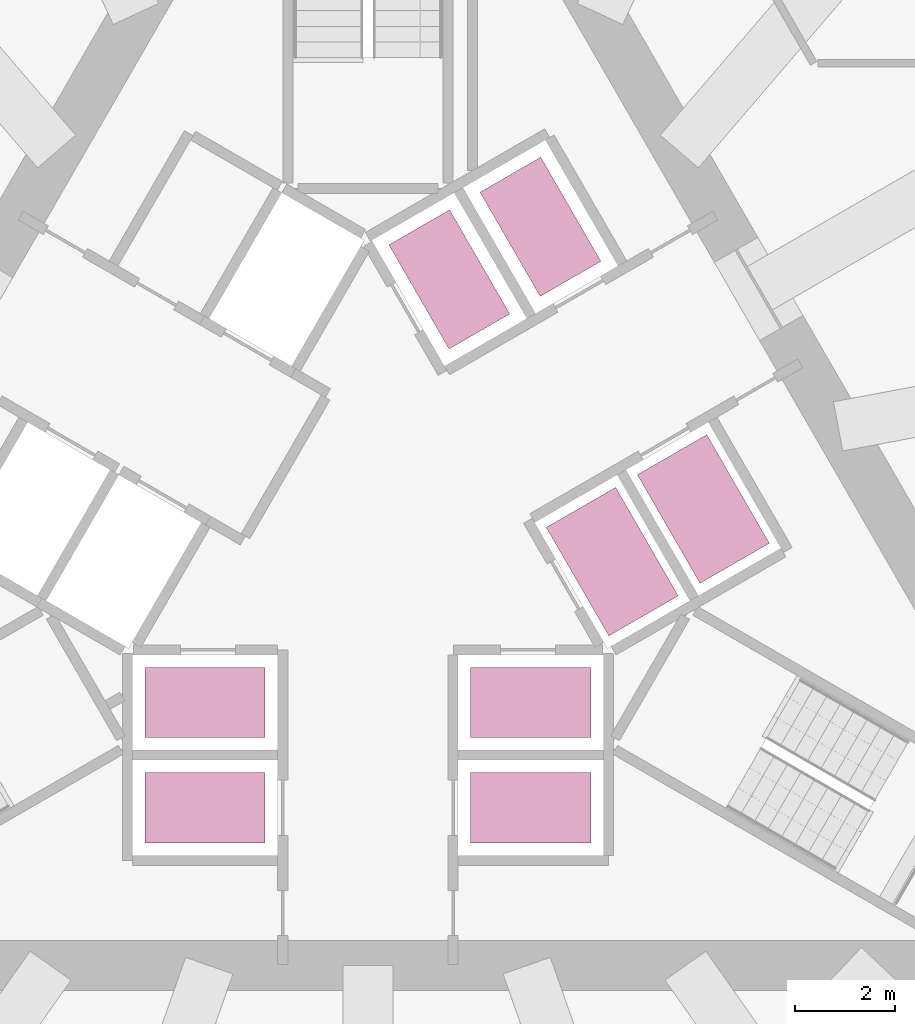
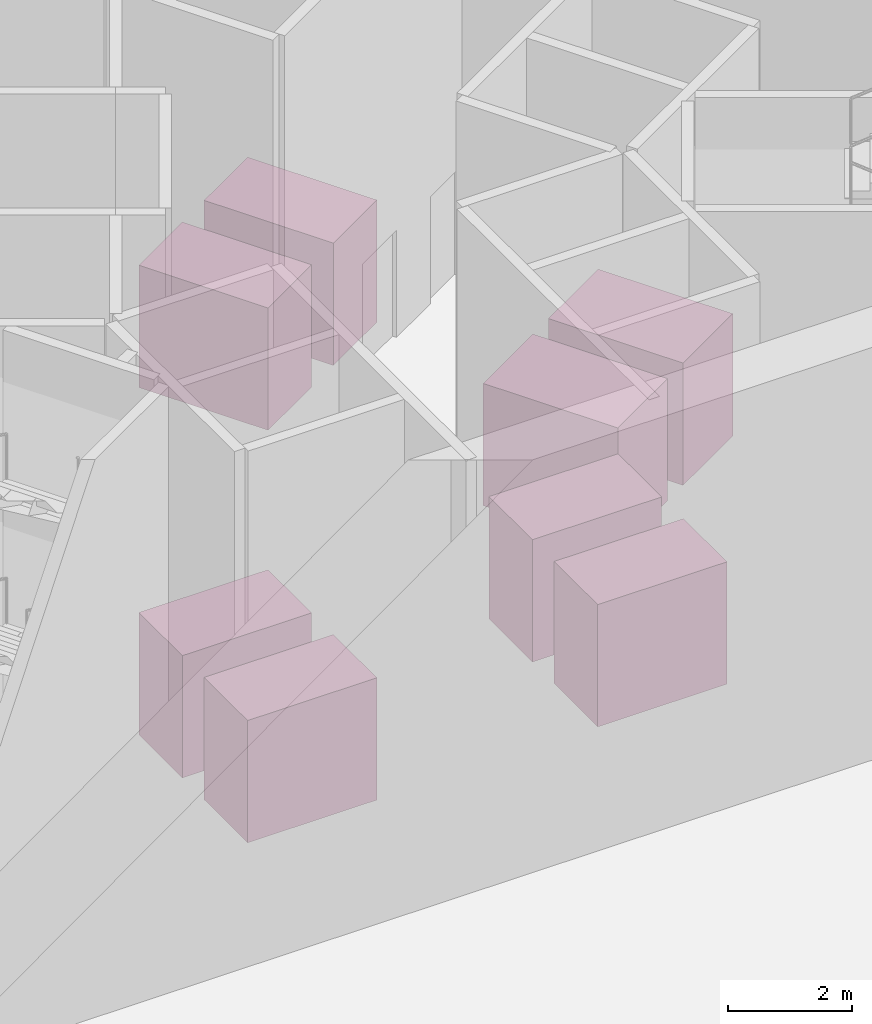
# One storey, part 41 of 41: 8 transport elements.
"""IFC4 building model written with IfcOpenShell, lengths in metres."""

from ifc_helpers import new_model, si_unit, direction, frame, origin, origin_2d, place, context, subcontext, project, spatial, rectangle, extrude, material, type_object, element, save


model = new_model("IFC4")

# Units and contexts
model_context = context("Model", 3, precision=1e-05, world=origin(), true_north=direction((0.0, 1.0)))
body_context = subcontext(model_context, "Body", "Model", "MODEL_VIEW")
ifc_project = project(units=[si_unit("LENGTHUNIT", "METRE"), si_unit("AREAUNIT", "SQUARE_METRE"), si_unit("VOLUMEUNIT", "CUBIC_METRE"), si_unit("PLANEANGLEUNIT", "RADIAN"), si_unit("MASSUNIT", "GRAM", prefix="KILO")], contexts=[model_context])

# Site, building, storey
site_placement = place(None, origin())
site = spatial("IfcSite", under=ifc_project, at=site_placement, CompositionType="ELEMENT")
building_placement = place(site_placement, origin())
building = spatial("IfcBuilding", under=site, at=building_placement, Name="Triada Interchange Tower", CompositionType="ELEMENT")
storey_placement = place(building_placement, origin())
storey = spatial("IfcBuildingStorey", under=building, at=storey_placement, Name="L00", CompositionType="ELEMENT", Elevation=0.0)

# Transport elements
ifc_material = material(Name="Stainless steel 1.4301 car panels", Category="steel")
transport_element_type_1 = type_object("IfcTransportElementType", Name="PASSENGER LIFT CAR 1600 KG 1400 X 2400", PredefinedType="ELEVATOR", material=ifc_material)
for number, where, z_axis, x_axis, name in (
    (1, (3.25, -3.75, 0.050048828125), (0.0, 0.0, 1.0), (0.0, -1.0, 0.0), "Lift car LR1"),
    (2, (3.25, -5.85009765625, 0.050048828125), (0.0, 0.0, 1.0), (0.0, -1.0, 0.0), "Lift car LR2"),
    (3, (-3.25, -3.75, 0.050048828125), (0.0, 0.0, 1.0), (0.0, -1.0, 0.0), "Lift car LR3"),
    (4, (-3.25, -5.85009765625, 0.050048828125), (0.0, 0.0, 1.0), (0.0, -1.0, 0.0), "Lift car LR4"),
    (5, (1.623046875, 4.68994140625, 0.050048828125), (0.0, 0.0, 1.0), (0.866025403784, 0.5, 0.0), "Lift car LR5"),
    (6, (3.44091796875, 5.739990234375, 0.050048828125), (0.0, 0.0, 1.0), (0.866025403784, 0.5, 0.0), "Lift car LR6"),
):
    element("IfcTransportElement", number, at=place(storey_placement, frame(where, z_axis=z_axis, x_axis=x_axis)), inside=storey, type_object=transport_element_type_1, Name=name, PredefinedType="ELEVATOR", context=body_context, shape_type="SweptSolid", body=[
        extrude(rectangle(XDim=1.39990234375, YDim=2.39990234375, at=origin_2d()), origin(), (0.0, 0.0, 1.0), 2.39990234375),
    ])
transport_element_type_2 = type_object("IfcTransportElementType", Name="SHUTTLE LIFT CAR 1800 KG 1600 X 2500", PredefinedType="ELEVATOR", material=ifc_material)
for number, where, z_axis, x_axis, name in (
    (7, (4.873046875, -0.93994140625, 0.050048828125), (0.0, 0.0, 1.0), (0.866025403784, 0.5, 0.0), "Lift car SH1"),
    (8, (6.69091796875, 0.110107421875, 0.050048828125), (0.0, 0.0, 1.0), (0.866025403784, 0.5, 0.0), "Lift car SH2"),
):
    element("IfcTransportElement", number, at=place(storey_placement, frame(where, z_axis=z_axis, x_axis=x_axis)), inside=storey, type_object=transport_element_type_2, Name=name, PredefinedType="ELEVATOR", context=body_context, shape_type="SweptSolid", body=[
        extrude(rectangle(XDim=1.60009765625, YDim=2.5, at=origin_2d()), origin(), (0.0, 0.0, 1.0), 2.39990234375),
    ])

save(model, "model.ifc")
